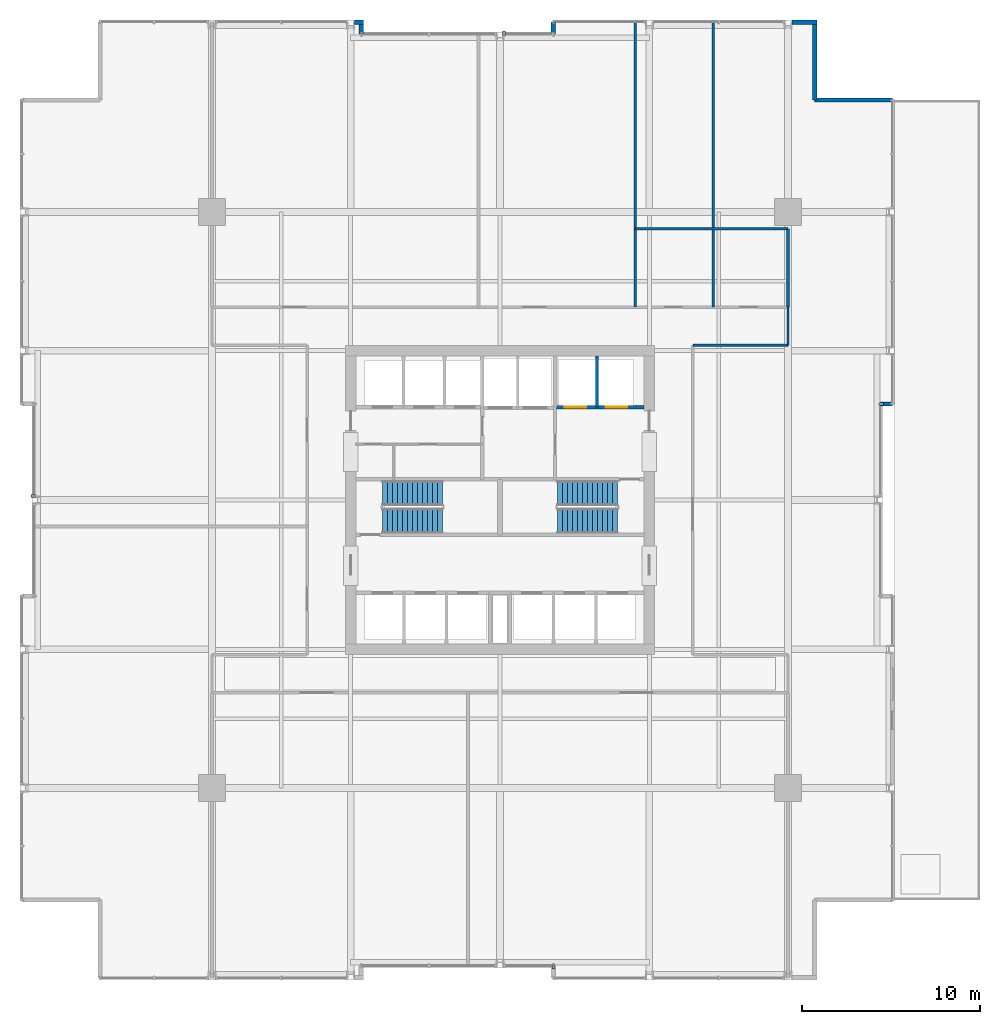
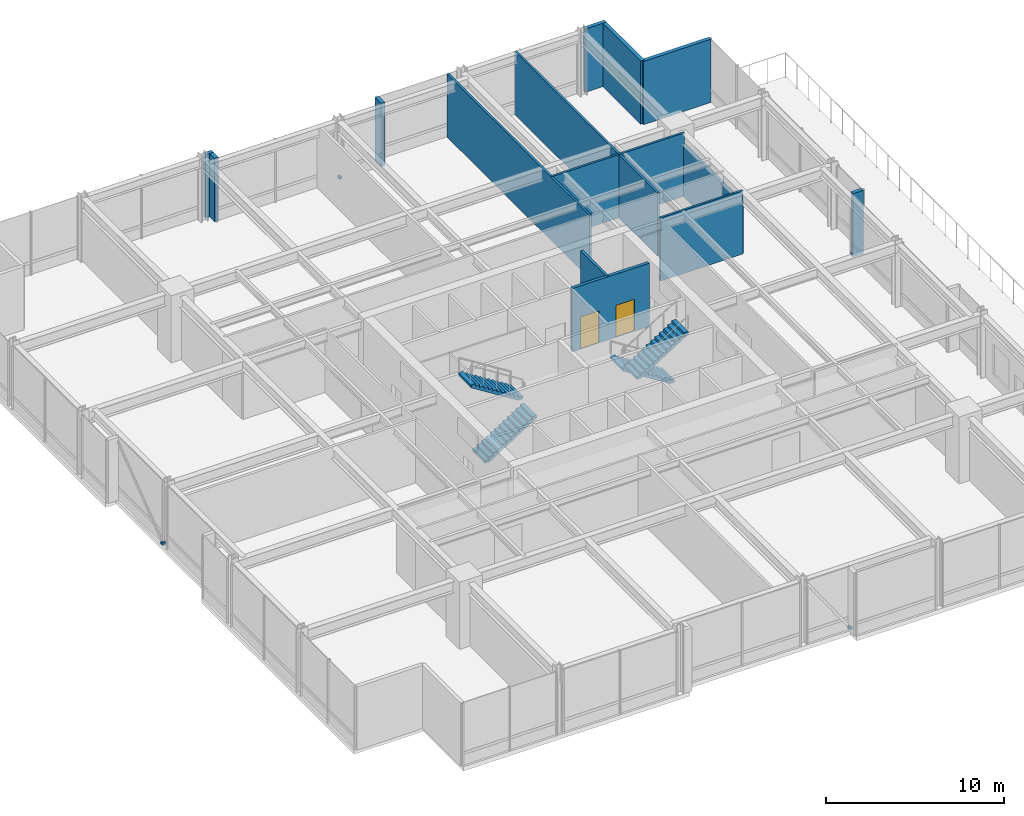
# One storey, part 30 of 33: 15 walls, 4 discrete accessories, 4 stair flights, 2 doors, 2 openings, 2 elements without a shape of their own.
"""IFC4 building model written with IfcOpenShell, lengths in metres."""

from ifc_helpers import new_model, si_unit, direction, frame, frame_2d, origin, origin_2d, place, context, subcontext, project, spatial, polyline, rectangle, outline, extrude, material, layer, layer_set, type_object, element, fill, aggregate, save


model = new_model("IFC4")

# Units and contexts
model_context = context("Model", 3, precision=1e-05, world=origin(), true_north=direction((0.0, 1.0)))
body_context = subcontext(model_context, "Body", "Model", "MODEL_VIEW")
ifc_project = project(units=[si_unit("LENGTHUNIT", "METRE"), si_unit("AREAUNIT", "SQUARE_METRE"), si_unit("VOLUMEUNIT", "CUBIC_METRE"), si_unit("PLANEANGLEUNIT", "RADIAN"), si_unit("MASSUNIT", "GRAM", prefix="KILO")], contexts=[model_context])

# Site, building, storey
site_placement = place(None, origin())
site = spatial("IfcSite", under=ifc_project, at=site_placement, CompositionType="ELEMENT")
building_placement = place(site_placement, origin())
building = spatial("IfcBuilding", under=site, at=building_placement, Name="Drelvath Grand Hotel", CompositionType="ELEMENT")
storey_placement = place(building_placement, frame((0.0, 0.0, 87.199951171875)))
storey = spatial("IfcBuildingStorey", under=building, at=storey_placement, Name="L21", CompositionType="ELEMENT", Elevation=87.199951171875)

# Wall, openings, doors
ifc_material_1 = material(Name="Concrete C40/50", Category="concrete")
ifc_layer_1 = layer(ifc_material_1, 0.199951171875)
ifc_layer_set_1 = layer_set([ifc_layer_1], Name="Concrete C40/50")
wall_type_1 = type_object("IfcWallType", Name="Core Hoistway Fire Wall 200", PredefinedType="SOLIDWALL", material=ifc_layer_set_1)
wall_1_placement = place(storey_placement, frame((3.10009765625, 32.219970703125, 0.0), z_axis=(0.0, 0.0, 1.0), x_axis=(1.0, 0.0, 0.0)))
wall_1 = element("IfcWall", 1, at=wall_1_placement, inside=storey, type_object=wall_type_1, Name="L21 FSAE Hoistway Front Wall", PredefinedType="SOLIDWALL", context=body_context, shape_type="SweptSolid", body=[
    extrude(rectangle(XDim=5.0, YDim=0.199951171875, at=frame_2d((2.5, 0.0))), origin(), (0.0, 0.0, 1.0), 4.340087890625),
])
opening_1_placement = place(wall_1_placement, frame((0.550048828125, 0.0, 0.0)))
opening_1 = element("IfcOpeningElement", 2, at=opening_1_placement, cuts=wall_1, Name="Opening LD-FSAE-1", PredefinedType="OPENING", context=body_context, shape_type="SweptSolid", body=[
    extrude(rectangle(XDim=1.199951171875, YDim=2.199951171875, at=frame_2d((0.60009765625, 1.10009765625))), frame((0.0, 0.10986328125, 0.0), z_axis=(0.0, -1.0, 0.0), x_axis=(1.0, 0.0, 0.0)), (0.0, 0.0, 1.0), 0.219970703125),
])
opening_2_placement = place(wall_1_placement, frame((2.85009765625, 0.0, 0.0)))
opening_2 = element("IfcOpeningElement", 3, at=opening_2_placement, cuts=wall_1, Name="Opening LD-FSAE-2", PredefinedType="OPENING", context=body_context, shape_type="SweptSolid", body=[
    extrude(rectangle(XDim=1.199951171875, YDim=2.199951171875, at=frame_2d((0.60009765625, 1.10009765625))), frame((0.0, 0.10986328125, 0.0), z_axis=(0.0, -1.0, 0.0), x_axis=(1.0, 0.0, 0.0)), (0.0, 0.0, 1.0), 0.219970703125),
])
ifc_material_2 = material(Name="Stainless Steel S355", Category="steel")
door_type = type_object("IfcDoorType", Name="FSAE Lift Sliding Landing Door 1200x2200", OperationType="NOTDEFINED", PredefinedType="DOOR", material=ifc_material_2)
door_1_placement = place(opening_1_placement, origin())
door_1 = element("IfcDoor", 4, at=door_1_placement, inside=storey, type_object=door_type, Name="L21 Lift FSAE-1 Landing Door", OperationType="SLIDING_TO_LEFT", OverallHeight=2.199951171875, OverallWidth=1.199951171875, PredefinedType="DOOR", context=body_context, shape_type="SweptSolid", body=[
    extrude(rectangle(XDim=1.199951171875, YDim=2.199951171875, at=frame_2d((0.60009765625, 1.10009765625))), frame((0.0, 0.02490234375, 0.0), z_axis=(0.0, -1.0, 0.0), x_axis=(1.0, 0.0, 0.0)), (0.0, 0.0, 1.0), 0.050048828125),
])
fill(opening_1, door_1)
door_2_placement = place(opening_2_placement, origin())
door_2 = element("IfcDoor", 5, at=door_2_placement, inside=storey, type_object=door_type, Name="L21 Lift FSAE-2 Landing Door", OperationType="SLIDING_TO_LEFT", OverallHeight=2.199951171875, OverallWidth=1.199951171875, PredefinedType="DOOR", context=body_context, shape_type="SweptSolid", body=[
    extrude(rectangle(XDim=1.199951171875, YDim=2.199951171875, at=frame_2d((0.60009765625, 1.10009765625))), frame((0.0, 0.02490234375, 0.0), z_axis=(0.0, -1.0, 0.0), x_axis=(1.0, 0.0, 0.0)), (0.0, 0.0, 1.0), 0.050048828125),
])
fill(opening_2, door_2)

# Walls
ifc_material_3 = material(Name="Gypsum Fireboard Partition")
ifc_layer_2 = layer(ifc_material_3, 0.1650390625)
ifc_layer_set_2 = layer_set([ifc_layer_2], Name="Gypsum Fireboard Partition")
wall_type_2 = type_object("IfcWallType", Name="Core Shaft Partition 165", PredefinedType="PARTITIONING", material=ifc_layer_set_2)
wall_2_placement = place(storey_placement, frame((5.449951171875, 32.219970703125, 0.0), z_axis=(0.0, 0.0, 1.0), x_axis=(0.0, 1.0, 0.0)))
element("IfcWall", 6, at=wall_2_placement, inside=storey, type_object=wall_type_2, Name="L21 FSAE Hoistway Divider", PredefinedType="PARTITIONING", context=body_context, shape_type="SweptSolid", body=[
    extrude(rectangle(XDim=2.880126953125, YDim=0.1650390625, at=frame_2d((1.43994140625, 0.0))), origin(), (0.0, 0.0, 1.0), 4.340087890625),
])
ifc_layer_3 = layer(ifc_material_3, 0.135009765625)
ifc_layer_set_3 = layer_set([ifc_layer_3], Name="Gypsum Fireboard Partition")
wall_type_3 = type_object("IfcWallType", Name="Corridor Fire Barrier Wall 135", PredefinedType="PARTITIONING", material=ifc_layer_set_3)
wall_3_placement = place(storey_placement, frame((10.85009765625, 35.699951171875, 0.0), z_axis=(0.0, 0.0, 1.0), x_axis=(1.0, 0.0, 0.0)))
element("IfcWall", 7, at=wall_3_placement, inside=storey, type_object=wall_type_3, Name="L21 Sky NE Spur Inner Wall", PredefinedType="PARTITIONING", context=body_context, shape_type="SweptSolid", body=[
    extrude(rectangle(XDim=5.349853515625, YDim=0.135009765625, at=frame_2d((2.6748046875, 0.0))), origin(), (0.0, 0.0, 1.0), 4.340087890625),
])
wall_4_placement = place(storey_placement, frame((16.199951171875, 35.699951171875, 0.0), z_axis=(0.0, 0.0, 1.0), x_axis=(0.0, 1.0, 0.0)))
element("IfcWall", 8, at=wall_4_placement, inside=storey, type_object=wall_type_3, Name="L21 Sky North Foyer East End", PredefinedType="PARTITIONING", context=body_context, shape_type="SweptSolid", body=[
    extrude(rectangle(XDim=2.150146484375, YDim=0.135009765625, at=frame_2d((1.0751953125, 0.0))), origin(), (0.0, 0.0, 1.0), 3.5517578125),
])
ifc_material_4 = material(Name="Moisture-Resistant Gypsum Board")
ifc_layer_4 = layer(ifc_material_4, 0.139892578125)
ifc_layer_set_4 = layer_set([ifc_layer_4], Name="Moisture-Resistant Gypsum Board")
wall_type_4 = type_object("IfcWallType", Name="En-Suite Plumbing Wall 140", PredefinedType="PLUMBINGWALL", material=ifc_layer_set_4)
for number, where, z_axis, x_axis, name in (
    (9, (7.60009765625, 37.85009765625, 0.0), (0.0, 0.0, 1.0), (0.0, 1.0, 0.0), "L21 Sky WC West Wall"),
    (10, (12.0, 37.85009765625, 0.0), (0.0, 0.0, 1.0), (0.0, 1.0, 0.0), "L21 Sky WC Split Wall"),
):
    element("IfcWall", number, at=place(storey_placement, frame(where, z_axis=z_axis, x_axis=x_axis)), inside=storey, type_object=wall_type_4, Name=name, PredefinedType="PLUMBINGWALL", context=body_context, shape_type="SweptSolid", body=[
        extrude(rectangle(XDim=16.02978515625, YDim=0.139892578125, at=frame_2d((8.014892578125, 0.0))), origin(), (0.0, 0.0, 1.0), 4.340087890625),
    ])
wall_5_placement = place(storey_placement, frame((7.60009765625, 42.25, 0.0), z_axis=(0.0, 0.0, 1.0), x_axis=(1.0, 0.0, 0.0)))
element("IfcWall", 11, at=wall_5_placement, inside=storey, type_object=wall_type_4, Name="L21 Sky WC Back Wall", PredefinedType="PLUMBINGWALL", context=body_context, shape_type="SweptSolid", body=[
    extrude(rectangle(XDim=8.599853515625, YDim=0.139892578125, at=frame_2d((4.2998046875, 0.0))), origin(), (0.0, 0.0, 1.0), 4.340087890625),
])
ifc_material_5 = material(Name="Gypsum Acoustic Partition")
ifc_layer_5 = layer(ifc_material_5, 0.1650390625)
ifc_layer_set_5 = layer_set([ifc_layer_5], Name="Gypsum Acoustic Partition")
wall_type_5 = type_object("IfcWallType", Name="Suite Demising Wall 165", PredefinedType="PARTITIONING", material=ifc_layer_set_5)
wall_6_placement = place(storey_placement, frame((16.199951171875, 37.85009765625, 0.0), z_axis=(0.0, 0.0, 1.0), x_axis=(0.0, 1.0, 0.0)))
element("IfcWall", 12, at=wall_6_placement, inside=storey, type_object=wall_type_5, Name="L21 Sky NE Wall", PredefinedType="PARTITIONING", context=body_context, shape_type="SweptSolid", body=[
    extrude(rectangle(XDim=4.39990234375, YDim=0.1650390625, at=frame_2d((2.199951171875, 0.0))), origin(), (0.0, 0.0, 1.0), 3.5517578125),
])
ifc_material_6 = material(Name="Pale-Metal Insulated Aluminium Spandrel Assembly", Category="aluminium")
ifc_layer_6 = layer(ifc_material_6, 0.239990234375)
ifc_layer_set_6 = layer_set([ifc_layer_6], Name="Pale-Metal Insulated Aluminium Spandrel Assembly")
wall_type_6 = type_object("IfcWallType", Name="Tower Insulated Metal Spandrel Closure Wall 240", PredefinedType="STANDARD", material=ifc_layer_set_6)
wall_7_placement = place(storey_placement, frame((-8.180419921875, 53.8798828125, 0.0), z_axis=(0.0, 0.0, 1.0), x_axis=(1.0, 0.0, 0.0)))
element("IfcWall", 13, at=wall_7_placement, inside=storey, type_object=wall_type_6, Name="L21 Corner Pier Spandrel Wall NW3", PredefinedType="STANDARD", context=body_context, shape_type="SweptSolid", body=[
    extrude(rectangle(XDim=0.50048828125, YDim=0.239990234375, at=frame_2d((0.250244140625, 0.0))), origin(), (0.0, 0.0, 1.0), 4.340087890625),
])
wall_8_placement = place(storey_placement, frame((16.419677734375, 53.8798828125, 0.0), z_axis=(0.0, 0.0, 1.0), x_axis=(1.0, 0.0, 0.0)))
element("IfcWall", 14, at=wall_8_placement, inside=storey, type_object=wall_type_6, Name="L21 Corner Pier Spandrel Wall NE3", PredefinedType="STANDARD", context=body_context, shape_type="SweptSolid", body=[
    extrude(rectangle(XDim=1.400390625, YDim=0.239990234375, at=frame_2d((0.7001953125, 0.0))), origin(), (0.0, 0.0, 1.0), 4.340087890625),
])
wall_9_placement = place(storey_placement, frame((17.699951171875, 53.760009765625, 0.0), z_axis=(0.0, 0.0, 1.0), x_axis=(0.0, -1.0, 0.0)))
element("IfcWall", 15, at=wall_9_placement, inside=storey, type_object=wall_type_6, Name="L21 Notched Corner Return Spandrel Wall CNE1", PredefinedType="STANDARD", context=body_context, shape_type="SweptSolid", body=[
    extrude(rectangle(XDim=4.260009765625, YDim=0.239990234375, at=frame_2d((2.1298828125, 0.0))), origin(), (0.0, 0.0, 1.0), 4.340087890625),
])
wall_10_placement = place(storey_placement, frame((17.699951171875, 49.5, 0.0), z_axis=(0.0, 0.0, 1.0), x_axis=(1.0, 0.0, 0.0)))
element("IfcWall", 16, at=wall_10_placement, inside=storey, type_object=wall_type_6, Name="L21 Notched Corner Return Spandrel Wall CNE2", PredefinedType="STANDARD", context=body_context, shape_type="SweptSolid", body=[
    extrude(rectangle(XDim=4.380126953125, YDim=0.239990234375, at=frame_2d((2.18994140625, 0.0))), origin(), (0.0, 0.0, 1.0), 4.340087890625),
])
wall_11_placement = place(storey_placement, frame((22.080078125, 32.39990234375, 0.0), z_axis=(0.0, 0.0, 1.0), x_axis=(-1.0, 0.0, 0.0)))
element("IfcWall", 17, at=wall_11_placement, inside=storey, type_object=wall_type_6, Name="L21 Notched Corner Return Spandrel Wall RE1", PredefinedType="STANDARD", context=body_context, shape_type="SweptSolid", body=[
    extrude(rectangle(XDim=0.68017578125, YDim=0.239990234375, at=frame_2d((0.340087890625, 0.0))), origin(), (0.0, 0.0, 1.0), 4.340087890625),
])
wall_12_placement = place(storey_placement, frame((-7.800048828125, 53.760009765625, 0.0), z_axis=(0.0, 0.0, 1.0), x_axis=(0.0, -1.0, 0.0)))
element("IfcWall", 18, at=wall_12_placement, inside=storey, type_object=wall_type_6, Name="L21 Notched Corner Return Spandrel Wall RN1", PredefinedType="STANDARD", context=body_context, shape_type="SweptSolid", body=[
    extrude(rectangle(XDim=0.56005859375, YDim=0.239990234375, at=frame_2d((0.280029296875, 0.0))), origin(), (0.0, 0.0, 1.0), 4.340087890625),
])
wall_13_placement = place(storey_placement, frame((3.0, 53.199951171875, 0.0), z_axis=(0.0, 0.0, 1.0), x_axis=(0.0, 1.0, 0.0)))
element("IfcWall", 19, at=wall_13_placement, inside=storey, type_object=wall_type_6, Name="L21 Notched Corner Return Spandrel Wall RN2", PredefinedType="STANDARD", context=body_context, shape_type="SweptSolid", body=[
    extrude(rectangle(XDim=0.679931640625, YDim=0.239990234375, at=frame_2d((0.33984375, 0.0))), origin(), (0.0, 0.0, 1.0), 4.340087890625),
])

# Stair, stair flights
stair_type = type_object("IfcStairType", Name="Dogleg Exit Stair W1400-R176.9", PredefinedType="HALF_TURN_STAIR", material=ifc_material_1)
stair_1_placement = place(storey_placement, origin())
stair_1 = element("IfcStair", 20, at=stair_1_placement, inside=storey, type_object=stair_type, Name="L21 Core Exit Stair ST-1", PredefinedType="HALF_TURN_STAIR")
stair_flight_type = type_object("IfcStairFlightType", Name="Concrete Stair Flight W1400-R176.9", PredefinedType="STRAIGHT", material=ifc_material_1)
stair_flight_1_placement = place(storey_placement, frame((-6.60009765625, 25.820068359375, 0.0), z_axis=(0.0, 0.0, 1.0), x_axis=(1.0, 0.0, 0.0)))
stair_flight_1 = element("IfcStairFlight", 21, at=stair_flight_1_placement, type_object=stair_flight_type, Name="ST-1 flight 1", NumberOfRisers=13, NumberOfTreads=12, PredefinedType="STRAIGHT", RiserHeight=0.176923077, TreadLength=0.28, context=body_context, shape_type="SweptSolid", body=[
    extrude(outline(polyline([(0.0, 0.0), (0.0, 0.177001953125), (0.280029296875, 0.177001953125), (0.280029296875, 0.353759765625), (0.56005859375, 0.353759765625), (0.56005859375, 0.53076171875), (0.840087890625, 0.53076171875), (0.840087890625, 0.707763671875), (1.1201171875, 0.707763671875), (1.1201171875, 0.884521484375), (1.39990234375, 0.884521484375), (1.39990234375, 1.0615234375), (1.679931640625, 1.0615234375), (1.679931640625, 1.238525390625), (1.9599609375, 1.238525390625), (1.9599609375, 1.415283203125), (2.239990234375, 1.415283203125), (2.239990234375, 1.59228515625), (2.52001953125, 1.59228515625), (2.52001953125, 1.769287109375), (2.800048828125, 1.769287109375), (2.800048828125, 1.946044921875), (3.080078125, 1.946044921875), (3.080078125, 2.123046875), (3.360107421875, 2.123046875), (3.360107421875, 2.300048828125), (3.360107421875, 1.933837890625), (0.29931640625, 0.0), (0.0, 0.0)])), frame((0.0, 0.699951171875, 0.0), z_axis=(0.0, -1.0, 0.0), x_axis=(1.0, 0.0, 0.0)), (0.0, 0.0, 1.0), 1.39990234375),
])
stair_flight_2_placement = place(storey_placement, frame((-3.239990234375, 27.3798828125, 2.300048828125), z_axis=(0.0, 0.0, 1.0), x_axis=(-1.0, 0.0, 0.0)))
stair_flight_2 = element("IfcStairFlight", 22, at=stair_flight_2_placement, type_object=stair_flight_type, Name="ST-1 flight 2", NumberOfRisers=13, NumberOfTreads=12, PredefinedType="STRAIGHT", RiserHeight=0.176923077, TreadLength=0.28, context=body_context, shape_type="SweptSolid", body=[
    extrude(outline(polyline([(0.0, 0.0), (0.0, 0.177001953125), (0.280029296875, 0.177001953125), (0.280029296875, 0.353759765625), (0.56005859375, 0.353759765625), (0.56005859375, 0.53076171875), (0.840087890625, 0.53076171875), (0.840087890625, 0.707763671875), (1.1201171875, 0.707763671875), (1.1201171875, 0.884521484375), (1.39990234375, 0.884521484375), (1.39990234375, 1.0615234375), (1.679931640625, 1.0615234375), (1.679931640625, 1.238525390625), (1.9599609375, 1.238525390625), (1.9599609375, 1.415283203125), (2.239990234375, 1.415283203125), (2.239990234375, 1.59228515625), (2.52001953125, 1.59228515625), (2.52001953125, 1.769287109375), (2.800048828125, 1.769287109375), (2.800048828125, 1.946044921875), (3.080078125, 1.946044921875), (3.080078125, 2.123046875), (3.360107421875, 2.123046875), (3.360107421875, 2.300048828125), (3.360107421875, 1.933837890625), (0.29931640625, 0.0), (0.0, 0.0)])), frame((0.0, 0.699951171875, 0.0), z_axis=(0.0, -1.0, 0.0), x_axis=(1.0, 0.0, 0.0)), (0.0, 0.0, 1.0), 1.39990234375),
])
aggregate(stair_1, [stair_flight_1, stair_flight_2])

stair_2_placement = place(storey_placement, origin())
stair_2 = element("IfcStair", 23, at=stair_2_placement, inside=storey, type_object=stair_type, Name="L21 Core Exit Stair ST-2", PredefinedType="HALF_TURN_STAIR")
stair_flight_3_placement = place(storey_placement, frame((6.60009765625, 27.3798828125, 0.0), z_axis=(0.0, 0.0, 1.0), x_axis=(-1.0, 0.0, 0.0)))
stair_flight_3 = element("IfcStairFlight", 24, at=stair_flight_3_placement, type_object=stair_flight_type, Name="ST-2 flight 1", NumberOfRisers=13, NumberOfTreads=12, PredefinedType="STRAIGHT", RiserHeight=0.176923077, TreadLength=0.28, context=body_context, shape_type="SweptSolid", body=[
    extrude(outline(polyline([(0.0, 0.0), (0.0, 0.177001953125), (0.280029296875, 0.177001953125), (0.280029296875, 0.353759765625), (0.56005859375, 0.353759765625), (0.56005859375, 0.53076171875), (0.840087890625, 0.53076171875), (0.840087890625, 0.707763671875), (1.1201171875, 0.707763671875), (1.1201171875, 0.884521484375), (1.39990234375, 0.884521484375), (1.39990234375, 1.0615234375), (1.679931640625, 1.0615234375), (1.679931640625, 1.238525390625), (1.9599609375, 1.238525390625), (1.9599609375, 1.415283203125), (2.239990234375, 1.415283203125), (2.239990234375, 1.59228515625), (2.52001953125, 1.59228515625), (2.52001953125, 1.769287109375), (2.800048828125, 1.769287109375), (2.800048828125, 1.946044921875), (3.080078125, 1.946044921875), (3.080078125, 2.123046875), (3.360107421875, 2.123046875), (3.360107421875, 2.300048828125), (3.360107421875, 1.933837890625), (0.29931640625, 0.0), (0.0, 0.0)])), frame((0.0, 0.699951171875, 0.0), z_axis=(0.0, -1.0, 0.0), x_axis=(1.0, 0.0, 0.0)), (0.0, 0.0, 1.0), 1.39990234375),
])
stair_flight_4_placement = place(storey_placement, frame((3.239990234375, 25.820068359375, 2.300048828125), z_axis=(0.0, 0.0, 1.0), x_axis=(1.0, 0.0, 0.0)))
stair_flight_4 = element("IfcStairFlight", 25, at=stair_flight_4_placement, type_object=stair_flight_type, Name="ST-2 flight 2", NumberOfRisers=13, NumberOfTreads=12, PredefinedType="STRAIGHT", RiserHeight=0.176923077, TreadLength=0.28, context=body_context, shape_type="SweptSolid", body=[
    extrude(outline(polyline([(0.0, 0.0), (0.0, 0.177001953125), (0.280029296875, 0.177001953125), (0.280029296875, 0.353759765625), (0.56005859375, 0.353759765625), (0.56005859375, 0.53076171875), (0.840087890625, 0.53076171875), (0.840087890625, 0.707763671875), (1.1201171875, 0.707763671875), (1.1201171875, 0.884521484375), (1.39990234375, 0.884521484375), (1.39990234375, 1.0615234375), (1.679931640625, 1.0615234375), (1.679931640625, 1.238525390625), (1.9599609375, 1.238525390625), (1.9599609375, 1.415283203125), (2.239990234375, 1.415283203125), (2.239990234375, 1.59228515625), (2.52001953125, 1.59228515625), (2.52001953125, 1.769287109375), (2.800048828125, 1.769287109375), (2.800048828125, 1.946044921875), (3.080078125, 1.946044921875), (3.080078125, 2.123046875), (3.360107421875, 2.123046875), (3.360107421875, 2.300048828125), (3.360107421875, 1.933837890625), (0.29931640625, 0.0), (0.0, 0.0)])), frame((0.0, 0.699951171875, 0.0), z_axis=(0.0, -1.0, 0.0), x_axis=(1.0, 0.0, 0.0)), (0.0, 0.0, 1.0), 1.39990234375),
])
aggregate(stair_2, [stair_flight_3, stair_flight_4])

# Discrete accessories
ifc_material_7 = material(Name="Stainless Steel Grade 316", Category="steel")
discrete_accessory_type = type_object("IfcDiscreteAccessoryType", Name="Curtain Wall Fin Mounting Bracket Cleat", PredefinedType="BRACKET", material=ifc_material_7)
for number, where, z_axis, x_axis, name in (
    (26, (-26.260009765625, 27.219482421875, 0.10009765625), (0.0, 0.0, 1.0), (0.0, 1.0, 0.0), "L21 Fin Mounting Bracket CW03-L21-WM2-1"),
    (27, (21.4599609375, 32.39990234375, 0.10009765625), (0.0, 0.0, 1.0), (0.0, -1.0, 0.0), "L21 Fin Mounting Bracket CW03-L21-EM2-1"),
    (28, (0.219482421875, 53.260009765625, 0.10009765625), (0.0, 0.0, 1.0), (1.0, 0.0, 0.0), "L21 Fin Mounting Bracket CW03-L21-NM2-1"),
    (29, (3.0, 0.739990234375, 0.10009765625), (0.0, 0.0, 1.0), (-1.0, 0.0, 0.0), "L21 Fin Mounting Bracket CW03-L21-SM2-1"),
):
    element("IfcDiscreteAccessory", number, at=place(storey_placement, frame(where, z_axis=z_axis, x_axis=x_axis)), inside=storey, type_object=discrete_accessory_type, Name=name, PredefinedType="BRACKET", context=body_context, shape_type="SweptSolid", body=[
        extrude(rectangle(XDim=0.159912109375, YDim=0.239990234375, at=origin_2d()), origin(), (0.0, 0.0, 1.0), 0.159912109375),
    ])

save(model, "model.ifc")
